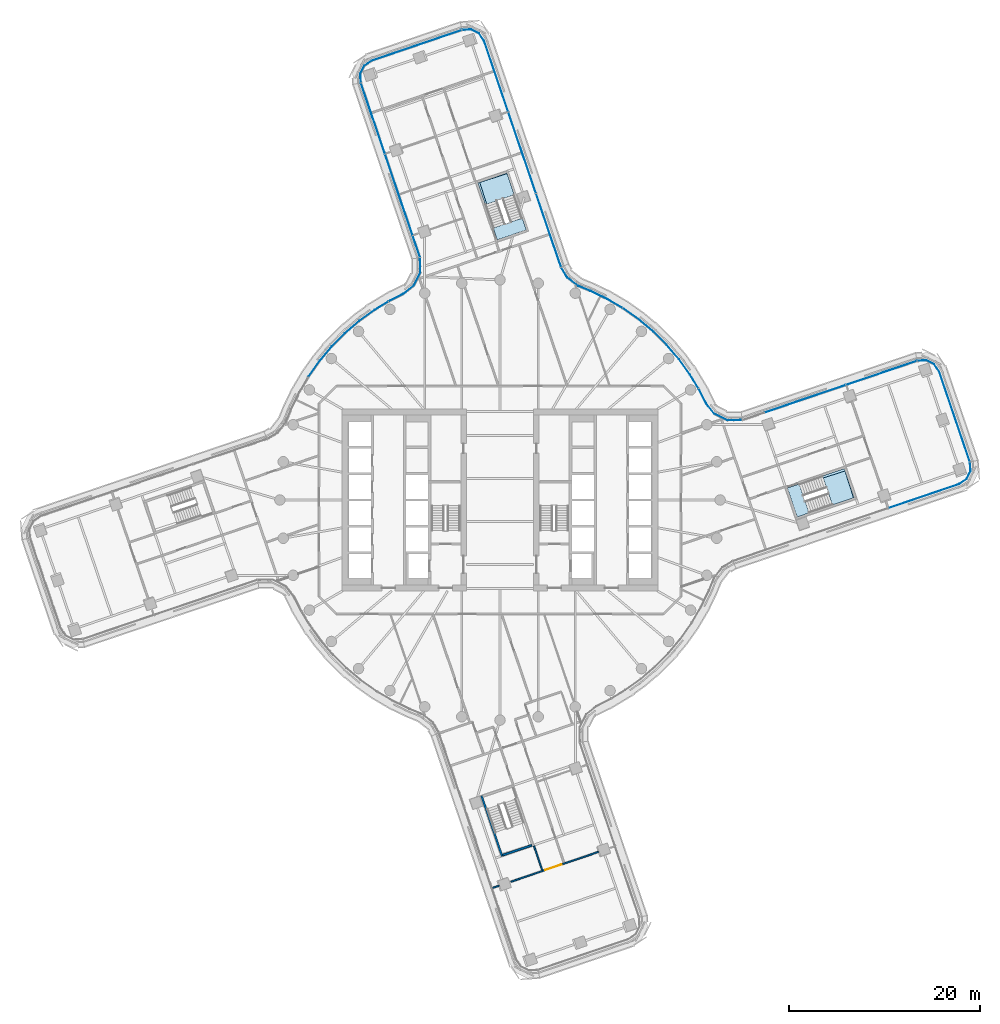
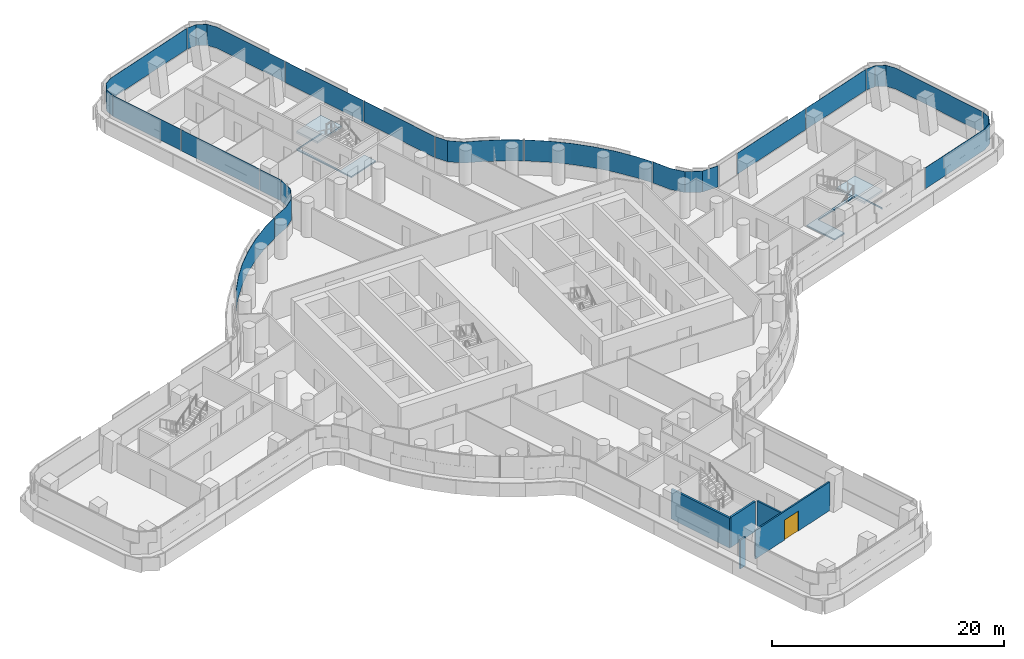
# One storey, part 16 of 29: 16 plates, 5 walls, 4 slabs, 1 door, 1 opening, 10 elements without a shape of their own.
"""IFC4 building model written with IfcOpenShell, lengths in metres."""

from ifc_helpers import new_model, si_unit, direction, frame, frame_2d, origin, place, context, subcontext, project, spatial, polyline, rectangle, outline, extrude, material, layer, layer_set, type_object, element, fill, aggregate, save


model = new_model("IFC4")

# Units and contexts
model_context = context("Model", 3, precision=1e-05, world=origin(), true_north=direction((0.0, 1.0)))
body_context = subcontext(model_context, "Body", "Model", "MODEL_VIEW")
ifc_project = project(units=[si_unit("LENGTHUNIT", "METRE"), si_unit("AREAUNIT", "SQUARE_METRE"), si_unit("VOLUMEUNIT", "CUBIC_METRE"), si_unit("PLANEANGLEUNIT", "RADIAN"), si_unit("MASSUNIT", "GRAM", prefix="KILO")], contexts=[model_context])

# Site, building, storey
site_placement = place(None, origin())
site = spatial("IfcSite", under=ifc_project, at=site_placement, CompositionType="ELEMENT")
building_placement = place(site_placement, origin())
building = spatial("IfcBuilding", under=site, at=building_placement, Name="Tamarind Cross Interchange Tower", CompositionType="ELEMENT")
storey_placement = place(building_placement, frame((0.0, 0.0, 102.25)))
storey = spatial("IfcBuildingStorey", under=building, at=storey_placement, Name="L24", CompositionType="ELEMENT", Elevation=102.25)

# Slabs
ifc_material_1 = material(Name="Concrete C35", Category="concrete")
ifc_layer_1 = layer(ifc_material_1, 0.139892578125)
ifc_layer_set_1 = layer_set([ifc_layer_1], Name="Concrete C35")
slab_type_1 = type_object("IfcSlabType", Name="Composite slab 140 Concrete C35", PredefinedType="FLOOR", material=ifc_layer_set_1)
slab_1_placement = place(storey_placement, frame((0.0, 0.0, -0.139892578125)))
element("IfcSlab", 1, at=slab_1_placement, inside=storey, type_object=slab_type_1, Name="Floor slab L24", PredefinedType="FLOOR", context=body_context, shape_type="SweptSolid", body=[
    extrude(outline(polyline([(-0.28662109375, 27.184326171875), (2.74267578125, 28.216064453125), (2.34619140625, 29.37939453125), (2.319580078125, 29.4580078125), (-0.600341796875, 28.46337890625), (-2.114013671875, 33.1884765625), (0.738037109375, 34.10205078125), (0.711669921875, 34.1796875), (-2.3173828125, 33.14794921875), (-0.28662109375, 27.184326171875)])), origin(), (0.0, 0.0, 1.0), 0.139892578125),
])
slab_2_placement = place(storey_placement, frame((0.0, 0.0, -0.139892578125)))
element("IfcSlab", 2, at=slab_2_placement, inside=storey, type_object=slab_type_1, Name="Floor slab L24", PredefinedType="FLOOR", context=body_context, shape_type="SweptSolid", body=[
    extrude(outline(polyline([(37.01953125, 0.255615234375), (35.98779296875, 3.28466796875), (30.024169921875, 1.253662109375), (31.055908203125, -1.775390625), (32.2197265625, -1.37890625), (32.2978515625, -1.3525390625), (31.321044921875, 1.515625), (36.04541015625, 3.029052734375), (36.9423828125, 0.229248046875), (37.01953125, 0.255615234375)])), origin(), (0.0, 0.0, 1.0), 0.139892578125),
])

# Stair, slab
ifc_material_2 = material(Name="Exit stair")
stair_type = type_object("IfcStairType", Name="Exit stair", PredefinedType="HALF_TURN_STAIR", material=ifc_material_2)
stair_1_placement = place(storey_placement, origin())
stair_1 = element("IfcStair", 3, at=stair_1_placement, inside=storey, type_object=stair_type, Name="L24 exit stair ST3", PredefinedType="HALF_TURN_STAIR")
ifc_material_3 = material(Name="Concrete C40", Category="concrete")
ifc_layer_2 = layer(ifc_material_3, 0.199951171875)
ifc_layer_set_2 = layer_set([ifc_layer_2], Name="Concrete C40")
slab_type_2 = type_object("IfcSlabType", Name="Stair landing", PredefinedType="LANDING", material=ifc_layer_set_2)
slab_3_placement = place(storey_placement, frame((0.0, 0.0, 1.675048828125)))
slab_3 = element("IfcSlab", 4, at=slab_3_placement, type_object=slab_type_2, Name="ST3 landing 1", PredefinedType="LANDING", context=body_context, shape_type="SweptSolid", body=[
    extrude(outline(polyline([(34.736328125, -0.52197265625), (37.01953125, 0.25537109375), (35.98779296875, 3.28466796875), (33.70458984375, 2.507080078125), (34.736328125, -0.52197265625)])), origin(), (0.0, 0.0, 1.0), 0.199951171875),
])
aggregate(stair_1, [slab_3])

stair_2_placement = place(storey_placement, origin())
stair_2 = element("IfcStair", 5, at=stair_2_placement, inside=storey, type_object=stair_type, Name="L24 exit stair ST4", PredefinedType="HALF_TURN_STAIR")
slab_4_placement = place(storey_placement, frame((0.0, 0.0, 1.675048828125)))
slab_4 = element("IfcSlab", 6, at=slab_4_placement, type_object=slab_type_2, Name="ST4 landing 1", PredefinedType="LANDING", context=body_context, shape_type="SweptSolid", body=[
    extrude(outline(polyline([(1.4892578125, 31.896484375), (0.711669921875, 34.1796875), (-2.317626953125, 33.14794921875), (-1.5400390625, 30.86474609375), (1.4892578125, 31.896484375)])), origin(), (0.0, 0.0, 1.0), 0.199951171875),
])
aggregate(stair_2, [slab_4])

# Curtain wall, plate
ifc_material_4 = material(Name="Aluminium 6063-T6", Category="aluminium")
ifc_layer_3 = layer(ifc_material_4, 0.159912109375)
ifc_layer_set_3 = layer_set([ifc_layer_3], Name="Aluminium 6063-T6")
curtain_wall_type = type_object("IfcCurtainWallType", Name="Office curtain wall, 9.0 m bays", PredefinedType="NOTDEFINED", material=ifc_layer_set_3)
curtain_wall_1_placement = place(storey_placement, origin())
curtain_wall_1 = element("IfcCurtainWall", 7, at=curtain_wall_1_placement, inside=storey, type_object=curtain_wall_type, Name="CWS-L24-07", PredefinedType="NOTDEFINED")
ifc_material_5 = material(Name="Laminated low-e glass 8+1.52+8", Category="glass")
ifc_layer_4 = layer(ifc_material_5, 0.028076171875)
ifc_layer_set_4 = layer_set([ifc_layer_4], Name="Laminated low-e glass 8+1.52+8")
plate_type = type_object("IfcPlateType", Name="Vision panel CW1", PredefinedType="CURTAIN_PANEL", material=ifc_layer_set_4)
plate_1_placement = place(storey_placement, frame((0.0, 0.0, 1.39990234375)))
plate_1 = element("IfcPlate", 8, at=plate_1_placement, type_object=plate_type, Name="CWP-L24-07-02", PredefinedType="CURTAIN_PANEL", context=body_context, shape_type="SweptSolid", body=[
    extrude(outline(polyline([(40.5693359375, -0.8447265625), (47.9658203125, 1.674072265625), (48.755126953125, 2.202392578125), (49.161376953125, 3.028564453125), (49.100341796875, 3.947998046875), (49.128173828125, 3.949951171875), (49.18994140625, 3.02294921875), (48.77685546875, 2.183349609375), (47.978515625, 1.648681640625), (40.578369140625, -0.871337890625), (40.5693359375, -0.8447265625)])), origin(), (0.0, 0.0, 1.0), 2.210205078125),
])
aggregate(curtain_wall_1, [plate_1])

curtain_wall_2_placement = place(storey_placement, origin())
curtain_wall_2 = element("IfcCurtainWall", 9, at=curtain_wall_2_placement, inside=storey, type_object=curtain_wall_type, Name="CWS-L24-08", PredefinedType="NOTDEFINED")
plate_2_placement = place(storey_placement, frame((0.0, 0.0, 1.39990234375)))
plate_2 = element("IfcPlate", 10, at=plate_2_placement, type_object=plate_type, Name="CWP-L24-08-00", PredefinedType="CURTAIN_PANEL", context=body_context, shape_type="SweptSolid", body=[
    extrude(outline(polyline([(49.08935546875, 4.0029296875), (45.892822265625, 13.388916015625), (45.364501953125, 14.17822265625), (44.538330078125, 14.58447265625), (43.61865234375, 14.5234375), (43.61669921875, 14.55126953125), (44.5439453125, 14.613037109375), (45.383544921875, 14.199951171875), (45.918212890625, 13.401611328125), (49.11572265625, 4.011962890625), (49.08935546875, 4.0029296875)])), origin(), (0.0, 0.0, 1.0), 2.210205078125),
])
aggregate(curtain_wall_2, [plate_2])

# Curtain wall, plates
curtain_wall_3_placement = place(storey_placement, origin())
curtain_wall_3 = element("IfcCurtainWall", 11, at=curtain_wall_3_placement, inside=storey, type_object=curtain_wall_type, Name="CWS-L24-09", PredefinedType="NOTDEFINED")
plate_3_placement = place(storey_placement, frame((0.0, 0.0, 1.39990234375)))
plate_3 = element("IfcPlate", 12, at=plate_3_placement, type_object=plate_type, Name="CWP-L24-09-00", PredefinedType="CURTAIN_PANEL", context=body_context, shape_type="SweptSolid", body=[
    extrude(outline(polyline([(43.56396484375, 14.512451171875), (36.186279296875, 12.01220703125), (36.17724609375, 12.038818359375), (43.554931640625, 14.5390625), (43.56396484375, 14.512451171875)])), origin(), (0.0, 0.0, 1.0), 2.210205078125),
])
plate_4_placement = place(storey_placement, frame((0.0, 0.0, 1.39990234375)))
plate_4 = element("IfcPlate", 13, at=plate_4_placement, type_object=plate_type, Name="CWP-L24-09-01", PredefinedType="CURTAIN_PANEL", context=body_context, shape_type="SweptSolid", body=[
    extrude(outline(polyline([(36.12939453125, 11.992919921875), (27.66015625, 9.122802734375), (27.651123046875, 9.1494140625), (36.12060546875, 12.01953125), (36.12939453125, 11.992919921875)])), origin(), (0.0, 0.0, 1.0), 2.210205078125),
])
aggregate(curtain_wall_3, [plate_3, plate_4])

curtain_wall_4_placement = place(storey_placement, origin())
curtain_wall_4 = element("IfcCurtainWall", 14, at=curtain_wall_4_placement, inside=storey, type_object=curtain_wall_type, Name="CWS-L24-10", PredefinedType="NOTDEFINED")
plate_5_placement = place(storey_placement, frame((0.0, 0.0, 1.39990234375)))
plate_5 = element("IfcPlate", 15, at=plate_5_placement, type_object=plate_type, Name="CWP-L24-10-00", PredefinedType="CURTAIN_PANEL", context=body_context, shape_type="SweptSolid", body=[
    extrude(outline(polyline([(25.30908203125, 8.33642578125), (23.72607421875, 8.314208984375), (22.38525390625, 9.001220703125), (21.52783203125, 10.075927734375), (20.86669921875, 11.40869140625), (20.7373046875, 11.623291015625), (20.761474609375, 11.6376953125), (20.89111328125, 11.422119140625), (21.551513671875, 10.091064453125), (22.4033203125, 9.0234375), (23.732421875, 8.34228515625), (25.30859375, 8.364501953125), (25.30908203125, 8.33642578125)])), origin(), (0.0, 0.0, 1.0), 2.210205078125),
])
plate_6_placement = place(storey_placement, frame((0.0, 0.0, 1.39990234375)))
plate_6 = element("IfcPlate", 16, at=plate_6_placement, type_object=plate_type, Name="CWP-L24-10-01", PredefinedType="CURTAIN_PANEL", context=body_context, shape_type="SweptSolid", body=[
    extrude(outline(polyline([(20.70654296875, 11.6748046875), (19.85302734375, 13.093017578125), (18.7041015625, 14.687744140625), (17.42724609375, 16.18212890625), (16.031494140625, 17.56591796875), (14.526123046875, 18.829833984375), (12.921630859375, 19.965087890625), (12.806640625, 20.032958984375), (12.82080078125, 20.05712890625), (12.936767578125, 19.988525390625), (14.543212890625, 18.85205078125), (16.05029296875, 17.586669921875), (17.44775390625, 16.201171875), (18.72607421875, 14.705078125), (19.87646484375, 13.1083984375), (20.73046875, 11.689208984375), (20.70654296875, 11.6748046875)])), origin(), (0.0, 0.0, 1.0), 2.210205078125),
])
plate_7_placement = place(storey_placement, frame((0.0, 0.0, 1.39990234375)))
plate_7 = element("IfcPlate", 17, at=plate_7_placement, type_object=plate_type, Name="CWP-L24-10-02", PredefinedType="CURTAIN_PANEL", context=body_context, shape_type="SweptSolid", body=[
    extrude(outline(polyline([(12.7548828125, 20.0634765625), (11.228759765625, 20.9638671875), (9.45703125, 21.820556640625), (8.160400390625, 22.352294921875), (7.004638671875, 23.2421875), (6.394287109375, 24.29345703125), (6.41845703125, 24.307373046875), (7.02587890625, 23.260986328125), (8.17431640625, 22.376708984375), (9.468505859375, 21.84619140625), (11.241943359375, 20.98876953125), (12.76904296875, 20.087646484375), (12.7548828125, 20.0634765625)])), origin(), (0.0, 0.0, 1.0), 2.210205078125),
])
aggregate(curtain_wall_4, [plate_5, plate_6, plate_7])

curtain_wall_5_placement = place(storey_placement, origin())
curtain_wall_5 = element("IfcCurtainWall", 18, at=curtain_wall_5_placement, inside=storey, type_object=curtain_wall_type, Name="CWS-L24-11", PredefinedType="NOTDEFINED")
plate_8_placement = place(storey_placement, frame((0.0, 0.0, 1.39990234375)))
plate_8 = element("IfcPlate", 19, at=plate_8_placement, type_object=plate_type, Name="CWP-L24-11-00", PredefinedType="CURTAIN_PANEL", context=body_context, shape_type="SweptSolid", body=[
    extrude(outline(polyline([(6.368408203125, 24.350341796875), (3.764892578125, 31.995361328125), (3.791259765625, 32.00439453125), (6.394775390625, 24.359130859375), (6.368408203125, 24.350341796875)])), origin(), (0.0, 0.0, 1.0), 2.210205078125),
])
plate_9_placement = place(storey_placement, frame((0.0, 0.0, 1.39990234375)))
plate_9 = element("IfcPlate", 20, at=plate_9_placement, type_object=plate_type, Name="CWP-L24-11-01", PredefinedType="CURTAIN_PANEL", context=body_context, shape_type="SweptSolid", body=[
    extrude(outline(polyline([(3.745361328125, 32.05224609375), (0.8642578125, 40.5126953125), (0.890625, 40.521728515625), (3.77197265625, 32.061279296875), (3.745361328125, 32.05224609375)])), origin(), (0.0, 0.0, 1.0), 2.210205078125),
])
plate_10_placement = place(storey_placement, frame((0.0, 0.0, 1.39990234375)))
plate_10 = element("IfcPlate", 21, at=plate_10_placement, type_object=plate_type, Name="CWP-L24-11-02", PredefinedType="CURTAIN_PANEL", context=body_context, shape_type="SweptSolid", body=[
    extrude(outline(polyline([(0.8447265625, 40.5693359375), (-1.674072265625, 47.9658203125), (-2.202392578125, 48.755126953125), (-3.028564453125, 49.161376953125), (-3.947998046875, 49.100341796875), (-3.949951171875, 49.128173828125), (-3.02294921875, 49.18994140625), (-2.183349609375, 48.77685546875), (-1.648681640625, 47.978515625), (0.871337890625, 40.578369140625), (0.8447265625, 40.5693359375)])), origin(), (0.0, 0.0, 1.0), 2.210205078125),
])
aggregate(curtain_wall_5, [plate_8, plate_9, plate_10])

# Curtain wall, plate
curtain_wall_6_placement = place(storey_placement, origin())
curtain_wall_6 = element("IfcCurtainWall", 22, at=curtain_wall_6_placement, inside=storey, type_object=curtain_wall_type, Name="CWS-L24-12", PredefinedType="NOTDEFINED")
plate_11_placement = place(storey_placement, frame((0.0, 0.0, 1.39990234375)))
plate_11 = element("IfcPlate", 23, at=plate_11_placement, type_object=plate_type, Name="CWP-L24-12-00", PredefinedType="CURTAIN_PANEL", context=body_context, shape_type="SweptSolid", body=[
    extrude(outline(polyline([(-4.0029296875, 49.08935546875), (-13.388916015625, 45.892822265625), (-14.17822265625, 45.364501953125), (-14.58447265625, 44.538330078125), (-14.5234375, 43.61865234375), (-14.55126953125, 43.61669921875), (-14.613037109375, 44.5439453125), (-14.199951171875, 45.383544921875), (-13.401611328125, 45.918212890625), (-4.011962890625, 49.11572265625), (-4.0029296875, 49.08935546875)])), origin(), (0.0, 0.0, 1.0), 2.210205078125),
])
aggregate(curtain_wall_6, [plate_11])

# Curtain wall, plates
curtain_wall_7_placement = place(storey_placement, origin())
curtain_wall_7 = element("IfcCurtainWall", 24, at=curtain_wall_7_placement, inside=storey, type_object=curtain_wall_type, Name="CWS-L24-13", PredefinedType="NOTDEFINED")
plate_12_placement = place(storey_placement, frame((0.0, 0.0, 1.39990234375)))
plate_12 = element("IfcPlate", 25, at=plate_12_placement, type_object=plate_type, Name="CWP-L24-13-00", PredefinedType="CURTAIN_PANEL", context=body_context, shape_type="SweptSolid", body=[
    extrude(outline(polyline([(-14.512451171875, 43.56396484375), (-12.01220703125, 36.186279296875), (-12.038818359375, 36.17724609375), (-14.5390625, 43.554931640625), (-14.512451171875, 43.56396484375)])), origin(), (0.0, 0.0, 1.0), 2.210205078125),
])
plate_13_placement = place(storey_placement, frame((0.0, 0.0, 1.39990234375)))
plate_13 = element("IfcPlate", 26, at=plate_13_placement, type_object=plate_type, Name="CWP-L24-13-01", PredefinedType="CURTAIN_PANEL", context=body_context, shape_type="SweptSolid", body=[
    extrude(outline(polyline([(-11.992919921875, 36.12939453125), (-9.122802734375, 27.66015625), (-9.1494140625, 27.651123046875), (-12.01953125, 36.12060546875), (-11.992919921875, 36.12939453125)])), origin(), (0.0, 0.0, 1.0), 2.210205078125),
])
plate_14_placement = place(storey_placement, frame((0.0, 0.0, 1.39990234375)))
plate_14 = element("IfcPlate", 27, at=plate_14_placement, type_object=plate_type, Name="CWP-L24-13-02", PredefinedType="CURTAIN_PANEL", context=body_context, shape_type="SweptSolid", body=[
    extrude(outline(polyline([(-9.103515625, 27.603271484375), (-8.347412109375, 25.37158203125), (-8.373779296875, 25.36279296875), (-9.130126953125, 27.59423828125), (-9.103515625, 27.603271484375)])), origin(), (0.0, 0.0, 1.0), 2.210205078125),
])
aggregate(curtain_wall_7, [plate_12, plate_13, plate_14])

curtain_wall_8_placement = place(storey_placement, origin())
curtain_wall_8 = element("IfcCurtainWall", 28, at=curtain_wall_8_placement, inside=storey, type_object=curtain_wall_type, Name="CWS-L24-14", PredefinedType="NOTDEFINED")
plate_15_placement = place(storey_placement, frame((0.0, 0.0, 1.39990234375)))
plate_15 = element("IfcPlate", 29, at=plate_15_placement, type_object=plate_type, Name="CWP-L24-14-00", PredefinedType="CURTAIN_PANEL", context=body_context, shape_type="SweptSolid", body=[
    extrude(outline(polyline([(-8.33642578125, 25.30908203125), (-8.314208984375, 23.72607421875), (-9.001220703125, 22.38525390625), (-10.075927734375, 21.52783203125), (-11.40869140625, 20.86669921875), (-11.623291015625, 20.7373046875), (-11.6376953125, 20.761474609375), (-11.422119140625, 20.89111328125), (-10.091064453125, 21.551513671875), (-9.0234375, 22.4033203125), (-8.34228515625, 23.732421875), (-8.364501953125, 25.30859375), (-8.33642578125, 25.30908203125)])), origin(), (0.0, 0.0, 1.0), 2.210205078125),
])
plate_16_placement = place(storey_placement, frame((0.0, 0.0, 1.39990234375)))
plate_16 = element("IfcPlate", 30, at=plate_16_placement, type_object=plate_type, Name="CWP-L24-14-01", PredefinedType="CURTAIN_PANEL", context=body_context, shape_type="SweptSolid", body=[
    extrude(outline(polyline([(-11.6748046875, 20.70654296875), (-13.093017578125, 19.85302734375), (-14.687744140625, 18.7041015625), (-16.18212890625, 17.42724609375), (-17.56591796875, 16.031494140625), (-18.829833984375, 14.526123046875), (-19.965087890625, 12.921630859375), (-20.032958984375, 12.806640625), (-20.05712890625, 12.82080078125), (-19.988525390625, 12.936767578125), (-18.85205078125, 14.543212890625), (-17.586669921875, 16.05029296875), (-16.201171875, 17.44775390625), (-14.705078125, 18.72607421875), (-13.1083984375, 19.87646484375), (-11.689208984375, 20.73046875), (-11.6748046875, 20.70654296875)])), origin(), (0.0, 0.0, 1.0), 2.210205078125),
])
aggregate(curtain_wall_8, [plate_15, plate_16])

# Walls
ifc_material_6 = material(Name="Gypsum board partition on steel studs", Category="steel")
ifc_layer_5 = layer(ifc_material_6, 0.14990234375)
ifc_layer_set_5 = layer_set([ifc_layer_5], Name="Gypsum board partition on steel studs")
wall_type_1 = type_object("IfcWallType", Name="Partition 150 mm EI 120", PredefinedType="PARTITIONING", material=ifc_layer_set_5)
wall_1_placement = place(storey_placement, frame((3.552490234375, -36.150390625, 0.0), z_axis=(0.0, 0.0, 1.0), x_axis=(0.322468392979, -0.946580231956, 0.0)))
element("IfcWall", 31, at=wall_1_placement, inside=storey, type_object=wall_type_1, Name="Partition L24-017", PredefinedType="PARTITIONING", context=body_context, shape_type="SweptSolid", body=[
    extrude(rectangle(XDim=2.6845703125, YDim=0.14990234375, at=frame_2d((1.34228515625, 0.0))), origin(), (0.0, 0.0, 1.0), 3.010009765625),
])
wall_2_placement = place(storey_placement, frame((-0.764404296875, -40.535888671875, 0.0), z_axis=(0.0, 0.0, 1.0), x_axis=(0.946605373142, 0.322394583606, 0.0)))
element("IfcWall", 32, at=wall_2_placement, inside=storey, type_object=wall_type_1, Name="Partition L24-062", PredefinedType="PARTITIONING", context=body_context, shape_type="SweptSolid", body=[
    extrude(rectangle(XDim=0.7119140625, YDim=0.14990234375, at=frame_2d((0.35595703125, 0.0))), origin(), (0.0, 0.0, 1.0), 3.010009765625),
])

# Wall, opening, door
wall_3_placement = place(storey_placement, frame((1.137451171875, -39.88818359375, 0.0), z_axis=(0.0, 0.0, 1.0), x_axis=(0.946621298639, 0.322347819852, 0.0)))
wall_3 = element("IfcWall", 33, at=wall_3_placement, inside=storey, type_object=wall_type_1, Name="Partition L24-063", PredefinedType="PARTITIONING", context=body_context, shape_type="SweptSolid", body=[
    extrude(rectangle(XDim=9.6953125, YDim=0.14990234375, at=frame_2d((4.84765625, 0.0))), origin(), (0.0, 0.0, 1.0), 3.010009765625),
])
opening_placement = place(wall_3_placement, frame((3.7900390625, 0.0, 0.0)))
opening = element("IfcOpeningElement", 34, at=opening_placement, cuts=wall_3, Name="Opening D35", PredefinedType="OPENING", context=body_context, shape_type="SweptSolid", body=[
    extrude(rectangle(XDim=1.800048828125, YDim=2.10009765625, at=frame_2d((0.89990234375, 1.050048828125))), frame((0.0, 0.0849609375, 0.0), z_axis=(0.0, -1.0, 0.0), x_axis=(1.0, 0.0, 0.0)), (0.0, 0.0, 1.0), 0.169921875),
])
ifc_material_7 = material(Name="Fire-resisting door set")
door_type = type_object("IfcDoorType", Name="Interior door 1800 x 2100 FD60S", OperationType="DOUBLE_DOOR_SINGLE_SWING", PredefinedType="DOOR", material=ifc_material_7)
door_placement = place(opening_placement, frame((1.800048828125, 0.0, 0.0), z_axis=(0.0, 0.0, 1.0), x_axis=(-1.0, 0.0, 0.0)))
door = element("IfcDoor", 35, at=door_placement, inside=storey, type_object=door_type, Name="Door D35", OperationType="DOUBLE_DOOR_SINGLE_SWING", OverallHeight=2.10009765625, OverallWidth=1.800048828125, PredefinedType="DOOR", context=body_context, shape_type="SweptSolid", body=[
    extrude(rectangle(XDim=1.800048828125, YDim=2.10009765625, at=frame_2d((0.89990234375, 1.050048828125))), frame((0.0, 0.02490234375, 0.0), z_axis=(0.0, -1.0, 0.0), x_axis=(1.0, 0.0, 0.0)), (0.0, 0.0, 1.0), 0.050048828125),
])
fill(opening, door)

# Walls
ifc_layer_6 = layer(ifc_material_3, 0.199951171875)
ifc_layer_set_6 = layer_set([ifc_layer_6], Name="Concrete C40")
wall_type_2 = type_object("IfcWallType", Name="Stair shaft wall 200 mm Concrete C40", PredefinedType="SHEAR", material=ifc_layer_set_6)
wall_4_placement = place(storey_placement, frame((-1.9345703125, -30.898681640625, -0.139892578125), z_axis=(0.0, 0.0, 1.0), x_axis=(0.322375655092, -0.946611819599, 0.0)))
element("IfcWall", 36, at=wall_4_placement, inside=storey, type_object=wall_type_2, Name="Core wall CWL-L24-ST6-C", PredefinedType="SHEAR", context=body_context, shape_type="SweptSolid", body=[
    extrude(rectangle(XDim=6.699951171875, YDim=0.199951171875, at=frame_2d((3.35009765625, 0.0))), origin(), (0.0, 0.0, 1.0), 3.14990234375),
])
wall_5_placement = place(storey_placement, frame((0.0, 0.0, -0.139892578125)))
element("IfcWall", 37, at=wall_5_placement, inside=storey, type_object=wall_type_2, Name="Core wall CWL-L24-ST6-CF", PredefinedType="SHEAR", context=body_context, shape_type="SweptSolid", body=[
    extrude(outline(polyline([(0.255615234375, -37.01953125), (0.320068359375, -37.208740234375), (3.34912109375, -36.17724609375), (3.28466796875, -35.98779296875), (0.255615234375, -37.01953125)])), origin(), (0.0, 0.0, 1.0), 3.14990234375),
])

save(model, "model.ifc")
